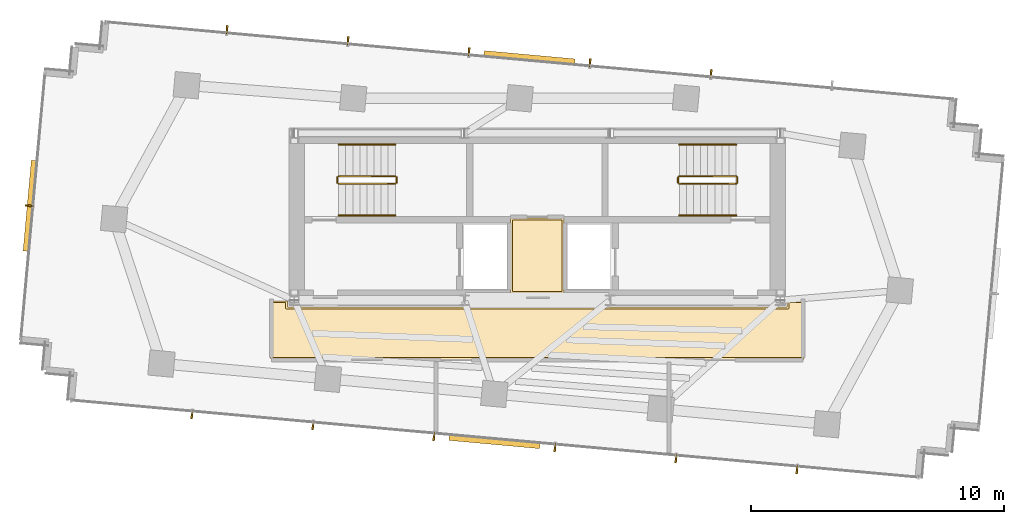
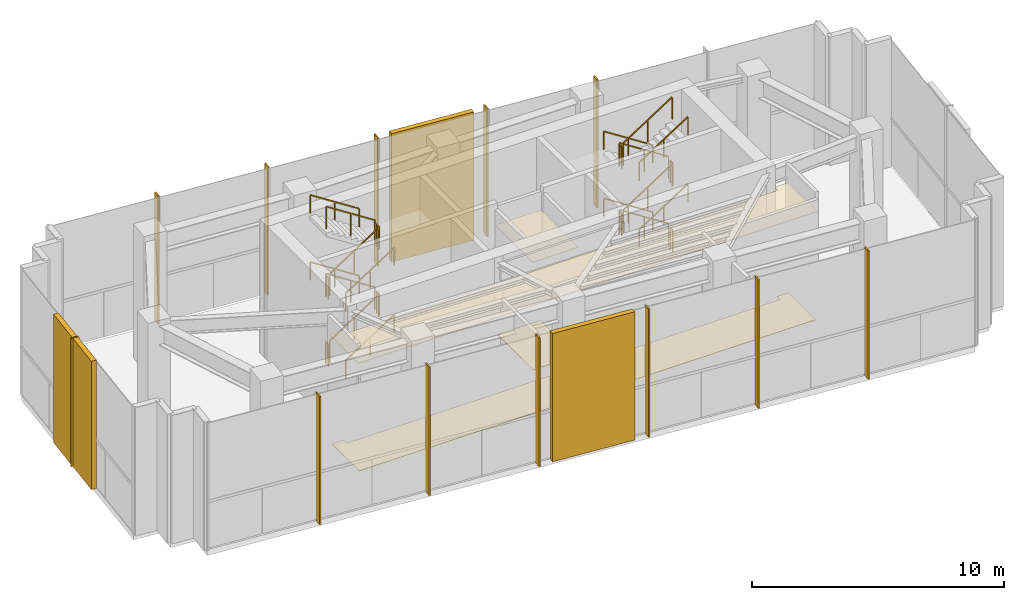
# One storey, part 17 of 18: 24 railings, 15 shading devices, 4 coverings.
"""IFC4 building model written with IfcOpenShell, lengths in metres."""

from ifc_helpers import new_model, si_unit, direction, frame, origin, origin_2d, place, context, subcontext, project, spatial, polyline, rectangle, outline, extrude, source, transform, mapped, material, layer, layer_set, type_object, type_shapes, element, save


model = new_model("IFC4")

# Units and contexts
model_context = context("Model", 3, precision=1e-05, world=origin(), true_north=direction((0.0, 1.0)))
body_context = subcontext(model_context, "Body", "Model", "MODEL_VIEW")
ifc_project = project(units=[si_unit("LENGTHUNIT", "METRE"), si_unit("AREAUNIT", "SQUARE_METRE"), si_unit("VOLUMEUNIT", "CUBIC_METRE"), si_unit("PLANEANGLEUNIT", "RADIAN"), si_unit("MASSUNIT", "GRAM", prefix="KILO")], contexts=[model_context])

# Site, building, storey
site_placement = place(None, origin())
site = spatial("IfcSite", under=ifc_project, at=site_placement, CompositionType="ELEMENT")
building_placement = place(site_placement, origin())
building = spatial("IfcBuilding", under=site, at=building_placement, Name="Astriad Promenade Condominiums", CompositionType="ELEMENT")
storey_placement = place(building_placement, frame((0.0, 0.0, 277.300048828125)))
storey = spatial("IfcBuildingStorey", under=building, at=storey_placement, Name="L78", CompositionType="ELEMENT", Elevation=277.300048828125)

# Coverings
ifc_material_1 = material(Name="Mineral-Fibre Acoustic Ceiling Tile")
ifc_layer_1 = layer(ifc_material_1, 0.02490234375)
ifc_layer_set_1 = layer_set([ifc_layer_1], Name="Mineral-Fibre Acoustic Ceiling Tile")
covering_type_1 = type_object("IfcCoveringType", Name="COV-CEIL-ACOUSTIC-25", PredefinedType="CEILING", material=ifc_layer_set_1)
covering_1_placement = place(storey_placement, frame((0.0, 0.0, 5.27490234375)))
element("IfcCovering", 1, at=covering_1_placement, inside=storey, type_object=covering_type_1, Name="CEIL-L78-CSL", PredefinedType="CEILING", context=body_context, shape_type="SweptSolid", body=[
    extrude(outline(polyline([(34.97998046875, 17.669921875), (34.97705078125, 17.670166015625), (34.97412109375, 17.670654296875), (34.97119140625, 17.67138671875), (34.968505859375, 17.67236328125), (34.9658203125, 17.673583984375), (34.96337890625, 17.675048828125), (34.9609375, 17.6767578125), (34.958740234375, 17.6787109375), (34.956787109375, 17.680908203125), (34.955078125, 17.683349609375), (34.95361328125, 17.685791015625), (34.952392578125, 17.6884765625), (34.951416015625, 17.69140625), (34.95068359375, 17.694091796875), (34.9501953125, 17.697021484375), (34.949951171875, 17.699951171875), (34.949951171875, 20.6201171875), (34.9501953125, 20.622802734375), (34.95068359375, 20.6259765625), (34.951416015625, 20.628662109375), (34.952392578125, 20.631591796875), (34.95361328125, 20.634033203125), (34.955078125, 20.63671875), (34.956787109375, 20.638916015625), (34.958740234375, 20.64111328125), (34.9609375, 20.643310546875), (34.96337890625, 20.64501953125), (34.9658203125, 20.646484375), (34.968505859375, 20.647705078125), (34.97119140625, 20.648681640625), (34.97412109375, 20.6494140625), (34.97705078125, 20.64990234375), (34.97998046875, 20.64990234375), (37.02001953125, 20.64990234375), (37.02294921875, 20.64990234375), (37.02587890625, 20.6494140625), (37.02880859375, 20.648681640625), (37.031494140625, 20.647705078125), (37.0341796875, 20.646484375), (37.03662109375, 20.64501953125), (37.0390625, 20.643310546875), (37.041259765625, 20.64111328125), (37.043212890625, 20.638916015625), (37.044921875, 20.63671875), (37.04638671875, 20.634033203125), (37.047607421875, 20.631591796875), (37.048583984375, 20.628662109375), (37.04931640625, 20.6259765625), (37.0498046875, 20.622802734375), (37.050048828125, 20.6201171875), (37.050048828125, 17.699951171875), (37.0498046875, 17.697021484375), (37.04931640625, 17.694091796875), (37.048583984375, 17.69140625), (37.047607421875, 17.6884765625), (37.04638671875, 17.685791015625), (37.044921875, 17.683349609375), (37.043212890625, 17.680908203125), (37.041259765625, 17.6787109375), (37.0390625, 17.6767578125), (37.03662109375, 17.675048828125), (37.0341796875, 17.673583984375), (37.031494140625, 17.67236328125), (37.02880859375, 17.67138671875), (37.02587890625, 17.670654296875), (37.02294921875, 17.670166015625), (37.02001953125, 17.669921875), (34.97998046875, 17.669921875)])), origin(), (0.0, 0.0, 1.0), 0.025146484375),
])
covering_2_placement = place(storey_placement, frame((0.0, 0.0, 5.27490234375)))
element("IfcCovering", 2, at=covering_2_placement, inside=storey, type_object=covering_type_1, Name="CEIL-L78-COR", PredefinedType="CEILING", context=body_context, shape_type="SweptSolid", body=[
    extrude(outline(polyline([(26.1298828125, 17.1298828125), (45.8701171875, 17.1298828125), (45.8701171875, 17.35009765625), (45.8701171875, 17.352783203125), (45.87060546875, 17.35595703125), (45.871337890625, 17.358642578125), (45.872314453125, 17.361572265625), (45.87353515625, 17.364013671875), (45.875, 17.36669921875), (45.876708984375, 17.368896484375), (45.87890625, 17.37109375), (45.881103515625, 17.373291015625), (45.88330078125, 17.375), (45.885986328125, 17.37646484375), (45.888427734375, 17.377685546875), (45.891357421875, 17.378662109375), (45.89404296875, 17.37939453125), (45.897216796875, 17.3798828125), (45.89990234375, 17.3798828125), (46.5, 17.3798828125), (46.5029296875, 17.3798828125), (46.505859375, 17.37939453125), (46.5087890625, 17.378662109375), (46.511474609375, 17.377685546875), (46.51416015625, 17.37646484375), (46.5166015625, 17.375), (46.51904296875, 17.373291015625), (46.521240234375, 17.37109375), (46.523193359375, 17.368896484375), (46.52490234375, 17.36669921875), (46.526611328125, 17.364013671875), (46.527587890625, 17.361572265625), (46.52880859375, 17.358642578125), (46.529296875, 17.35595703125), (46.52978515625, 17.352783203125), (46.530029296875, 17.35009765625), (46.530029296875, 15.10009765625), (46.52978515625, 15.09716796875), (46.529296875, 15.093994140625), (46.52880859375, 15.09130859375), (46.527587890625, 15.08837890625), (46.526611328125, 15.0859375), (46.52490234375, 15.083251953125), (46.523193359375, 15.0810546875), (46.521240234375, 15.078857421875), (46.51904296875, 15.076904296875), (46.5166015625, 15.0751953125), (46.51416015625, 15.073486328125), (46.511474609375, 15.072265625), (46.5087890625, 15.0712890625), (46.505859375, 15.070556640625), (46.5029296875, 15.070068359375), (46.5, 15.070068359375), (25.5, 15.070068359375), (25.4970703125, 15.070068359375), (25.494140625, 15.070556640625), (25.4912109375, 15.0712890625), (25.488525390625, 15.072265625), (25.48583984375, 15.073486328125), (25.4833984375, 15.0751953125), (25.48095703125, 15.076904296875), (25.478759765625, 15.078857421875), (25.476806640625, 15.0810546875), (25.47509765625, 15.083251953125), (25.473388671875, 15.0859375), (25.472412109375, 15.08837890625), (25.47119140625, 15.09130859375), (25.470703125, 15.093994140625), (25.47021484375, 15.09716796875), (25.469970703125, 15.10009765625), (25.469970703125, 17.35009765625), (25.47021484375, 17.352783203125), (25.470703125, 17.35595703125), (25.47119140625, 17.358642578125), (25.472412109375, 17.361572265625), (25.473388671875, 17.364013671875), (25.47509765625, 17.36669921875), (25.476806640625, 17.368896484375), (25.478759765625, 17.37109375), (25.48095703125, 17.373291015625), (25.4833984375, 17.375), (25.48583984375, 17.37646484375), (25.488525390625, 17.377685546875), (25.4912109375, 17.378662109375), (25.494140625, 17.37939453125), (25.4970703125, 17.3798828125), (25.5, 17.3798828125), (26.10009765625, 17.3798828125), (26.102783203125, 17.3798828125), (26.10595703125, 17.37939453125), (26.108642578125, 17.378662109375), (26.111572265625, 17.377685546875), (26.114013671875, 17.37646484375), (26.11669921875, 17.375), (26.118896484375, 17.373291015625), (26.12109375, 17.37109375), (26.123291015625, 17.368896484375), (26.125, 17.36669921875), (26.12646484375, 17.364013671875), (26.127685546875, 17.361572265625), (26.128662109375, 17.358642578125), (26.12939453125, 17.35595703125), (26.1298828125, 17.352783203125), (26.1298828125, 17.35009765625), (26.1298828125, 17.1298828125)])), origin(), (0.0, 0.0, 1.0), 0.025146484375),
])
ifc_material_2 = material(Name="Polished Lakefront Terrazzo Flooring")
ifc_layer_2 = layer(ifc_material_2, 0.02001953125)
ifc_layer_set_2 = layer_set([ifc_layer_2], Name="Polished Lakefront Terrazzo Flooring")
covering_type_2 = type_object("IfcCoveringType", Name="COV-FLOR-TERRAZZO-20", PredefinedType="FLOORING", material=ifc_layer_set_2)
covering_3_placement = place(storey_placement, origin())
element("IfcCovering", 3, at=covering_3_placement, inside=storey, type_object=covering_type_2, Name="FLR-L78-CSL", PredefinedType="FLOORING", context=body_context, shape_type="SweptSolid", body=[
    extrude(outline(polyline([(36.97998046875, 17.739990234375), (35.02001953125, 17.739990234375), (35.02001953125, 20.580078125), (36.97998046875, 20.580078125), (36.97998046875, 17.739990234375)])), origin(), (0.0, 0.0, 1.0), 0.02001953125),
])
covering_4_placement = place(storey_placement, origin())
element("IfcCovering", 4, at=covering_4_placement, inside=storey, type_object=covering_type_2, Name="FLR-L78-COR", PredefinedType="FLOORING", context=body_context, shape_type="SweptSolid", body=[
    extrude(outline(polyline([(26.06005859375, 17.31005859375), (26.06005859375, 17.10009765625), (26.060302734375, 17.09619140625), (26.060791015625, 17.09228515625), (26.061767578125, 17.08837890625), (26.06298828125, 17.084716796875), (26.064697265625, 17.0810546875), (26.066650390625, 17.077880859375), (26.069091796875, 17.07470703125), (26.07177734375, 17.07177734375), (26.07470703125, 17.069091796875), (26.077880859375, 17.066650390625), (26.0810546875, 17.064697265625), (26.084716796875, 17.06298828125), (26.08837890625, 17.061767578125), (26.09228515625, 17.060791015625), (26.09619140625, 17.060302734375), (26.10009765625, 17.06005859375), (45.89990234375, 17.06005859375), (45.90380859375, 17.060302734375), (45.90771484375, 17.060791015625), (45.91162109375, 17.061767578125), (45.915283203125, 17.06298828125), (45.9189453125, 17.064697265625), (45.922119140625, 17.066650390625), (45.92529296875, 17.069091796875), (45.92822265625, 17.07177734375), (45.930908203125, 17.07470703125), (45.933349609375, 17.077880859375), (45.935302734375, 17.0810546875), (45.93701171875, 17.084716796875), (45.938232421875, 17.08837890625), (45.939208984375, 17.09228515625), (45.939697265625, 17.09619140625), (45.93994140625, 17.10009765625), (45.93994140625, 17.31005859375), (46.4599609375, 17.31005859375), (46.4599609375, 15.139892578125), (25.5400390625, 15.139892578125), (25.5400390625, 17.31005859375), (26.06005859375, 17.31005859375)])), origin(), (0.0, 0.0, 1.0), 0.02001953125),
])

# Shading devices
ifc_material_3 = material(Name="Anodised aluminium 6063-T6 Black Fin", Category="aluminium")
shading_device_type_1 = type_object("IfcShadingDeviceType", Name="FIN-BLACK-260", PredefinedType="USERDEFINED", material=ifc_material_3)
shared_shape_1 = source(origin(), body_context, "Body", "SweptSolid", [
    extrude(rectangle(XDim=0.06494140625, YDim=0.320068359375, at=origin_2d()), origin(), (0.0, 0.0, 1.0), 6.219970703125),
])
type_shapes(shading_device_type_1, [shared_shape_1])
for number, where, z_axis, x_axis, name in (
    (5, (15.938720703125, 21.134765625, 0.0), (0.0, 0.0, 1.0), (0.090632580198, 0.995884398616, 0.0), "CW-CRN-L78-03-FIN-01"),
    (6, (23.74169921875, 28.09619140625, 0.0), (0.0, 0.0, 1.0), (0.995884398616, -0.090632580198, 0.0), "CW-CRN-L78-08-FIN-01"),
    (7, (28.522216796875, 27.6611328125, 0.0), (0.0, 0.0, 1.0), (0.995884398616, -0.090632580198, 0.0), "CW-CRN-L78-08-FIN-02"),
    (8, (33.30224609375, 27.22607421875, 0.0), (0.0, 0.0, 1.0), (0.995884398616, -0.090632580198, 0.0), "CW-CRN-L78-08-FIN-03"),
    (9, (38.08251953125, 26.791015625, 0.0), (0.0, 0.0, 1.0), (0.995884398616, -0.090632580198, 0.0), "CW-CRN-L78-08-FIN-04"),
    (10, (42.86279296875, 26.35595703125, 0.0), (0.0, 0.0, 1.0), (0.995884398616, -0.090632580198, 0.0), "CW-CRN-L78-08-FIN-05"),
    (11, (46.25830078125, 10.703857421875, 0.0), (0.0, 0.0, 1.0), (-0.995884398616, 0.090632580198, 0.0), "CW-CRN-L78-18-FIN-01"),
    (12, (41.477783203125, 11.138916015625, 0.0), (0.0, 0.0, 1.0), (-0.995884398616, 0.090632580198, 0.0), "CW-CRN-L78-18-FIN-02"),
    (13, (36.69775390625, 11.573974609375, 0.0), (0.0, 0.0, 1.0), (-0.995884398616, 0.090632580198, 0.0), "CW-CRN-L78-18-FIN-03"),
    (14, (31.91748046875, 12.009033203125, 0.0), (0.0, 0.0, 1.0), (-0.995884398616, 0.090632580198, 0.0), "CW-CRN-L78-18-FIN-04"),
    (15, (27.13720703125, 12.444091796875, 0.0), (0.0, 0.0, 1.0), (-0.995884398616, 0.090632580198, 0.0), "CW-CRN-L78-18-FIN-05"),
    (16, (22.35693359375, 12.879150390625, 0.0), (0.0, 0.0, 1.0), (-0.995884398616, 0.090632580198, 0.0), "CW-CRN-L78-18-FIN-06"),
):
    element("IfcShadingDevice", number, at=place(storey_placement, frame(where, z_axis=z_axis, x_axis=x_axis)), inside=storey, type_object=shading_device_type_1, Name=name, ObjectType="FIN", PredefinedType="USERDEFINED", context=body_context, shape_type="MappedRepresentation", body=[
        mapped(shared_shape_1, transform((0.0, 0.0, 0.0), scale=1.0)),
    ])
ifc_material_4 = material(Name="Anodised aluminium 6063-T6 Black Louvre", Category="aluminium")
shading_device_type_2 = type_object("IfcShadingDeviceType", Name="LOUVRE-ACOUSTIC-220", PredefinedType="JALOUSIE", material=ifc_material_4)
shared_shape_2 = source(origin(), body_context, "Body", "SweptSolid", [
    extrude(rectangle(XDim=3.60009765625, YDim=0.219970703125, at=origin_2d()), origin(), (0.0, 0.0, 1.0), 6.219970703125),
])
type_shapes(shading_device_type_2, [shared_shape_2])
for number, where, z_axis, x_axis, name in (
    (17, (15.958740234375, 21.1328125, 0.0), (0.0, 0.0, 1.0), (0.090632580198, 0.995884398616, 0.0), "LVR-CRN-L78-03"),
    (18, (35.690673828125, 26.988525390625, 0.0), (0.0, 0.0, 1.0), (0.995884398616, -0.090632580198, 0.0), "LVR-CRN-L78-08"),
    (19, (34.309326171875, 11.811279296875, 0.0), (0.0, 0.0, 1.0), (-0.995884398616, 0.090632580198, 0.0), "LVR-CRN-L78-18"),
):
    element("IfcShadingDevice", number, at=place(storey_placement, frame(where, z_axis=z_axis, x_axis=x_axis)), inside=storey, type_object=shading_device_type_2, Name=name, PredefinedType="JALOUSIE", context=body_context, shape_type="MappedRepresentation", body=[
        mapped(shared_shape_2, transform((0.0, 0.0, 0.0), scale=1.0)),
    ])

# Railings
ifc_material_5 = material(Name="Painted Galvanised Steel Guardrail", Category="steel")
railing_type_1 = type_object("IfcRailingType", Name="GRD-STAIR-1100", PredefinedType="GUARDRAIL", material=ifc_material_5)
shared_shape_3 = source(origin(), body_context, "Body", "SweptSolid", [
    extrude(rectangle(XDim=0.048095703125, YDim=0.048095703125, at=origin_2d()), frame((0.0, 0.0, 1.076171875), z_axis=(0.0, 1.0, 0.0), x_axis=(-1.0, 0.0, 0.0)), (0.0, 0.0, 1.0), 0.199951171875),
    extrude(rectangle(XDim=0.0419921875, YDim=0.0419921875, at=origin_2d()), origin(), (0.0, 0.0, 1.0), 1.052001953125),
    extrude(rectangle(XDim=0.0419921875, YDim=0.0419921875, at=origin_2d()), frame((0.0, 0.199951171875, 0.0)), (0.0, 0.0, 1.0), 1.052001953125),
])
for number, where, name in (
    (20, (30.43994140625, 22.050048828125, 1.625), "L78 ST-1 stair guard 2"),
    (21, (28.10009765625, 22.050048828125, 3.25), "L78 ST-1 stair guard 4"),
    (22, (30.43994140625, 22.050048828125, 4.875), "L78 ST-1 stair guard 6"),
    (23, (28.10009765625, 22.050048828125, 0.0), "L78 ST-1 stair guard 8"),
):
    element("IfcRailing", number, at=place(storey_placement, frame(where)), inside=storey, type_object=railing_type_1, Name=name, PredefinedType="GUARDRAIL", context=body_context, shape_type="MappedRepresentation", body=[
        mapped(shared_shape_3, transform((0.0, 0.0, 0.0), scale=1.0)),
    ])
shared_shape_4 = source(origin(), body_context, "Body", "SweptSolid", [
    extrude(rectangle(XDim=0.048095703125, YDim=0.048095703125, at=origin_2d()), frame((0.0, 0.0, 1.076171875), z_axis=(0.840394893359, 0.0, 0.541974559565), x_axis=(0.0, 1.0, 0.0)), (0.0, 0.0, 1.0), 2.665283203125),
    extrude(rectangle(XDim=0.0419921875, YDim=0.0419921875, at=origin_2d()), origin(), (0.0, 0.0, 1.0), 1.052001953125),
    extrude(rectangle(XDim=0.0419921875, YDim=0.0419921875, at=origin_2d()), frame((1.1201171875, 0.0, 0.72216796875)), (0.0, 0.0, 1.0), 1.052001953125),
    extrude(rectangle(XDim=0.0419921875, YDim=0.0419921875, at=origin_2d()), frame((2.239990234375, 0.0, 1.444580078125)), (0.0, 0.0, 1.0), 1.052001953125),
])
for number, where, name in (
    (24, (28.14990234375, 22.0, 0.180419921875), "L78 ST-1 stair guard 1"),
    (25, (28.14990234375, 22.0, 3.430419921875), "L78 ST-1 stair guard 5"),
    (26, (41.610107421875, 22.0, 1.805419921875), "L78 ST-2 stair guard 3"),
    (27, (41.610107421875, 22.0, 5.055419921875), "L78 ST-2 stair guard 7"),
):
    element("IfcRailing", number, at=place(storey_placement, frame(where)), inside=storey, type_object=railing_type_1, Name=name, PredefinedType="GUARDRAIL", context=body_context, shape_type="MappedRepresentation", body=[
        mapped(shared_shape_4, transform((0.0, 0.0, 0.0), scale=1.0)),
    ])
shared_shape_5 = source(origin(), body_context, "Body", "SweptSolid", [
    extrude(rectangle(XDim=0.048095703125, YDim=0.048095703125, at=origin_2d()), frame((0.0, 0.0, 1.076171875), z_axis=(-0.840394893359, 0.0, 0.541974559565), x_axis=(0.0, -1.0, 0.0)), (0.0, 0.0, 1.0), 2.665283203125),
    extrude(rectangle(XDim=0.0419921875, YDim=0.0419921875, at=origin_2d()), origin(), (0.0, 0.0, 1.0), 1.052001953125),
    extrude(rectangle(XDim=0.0419921875, YDim=0.0419921875, at=origin_2d()), frame((-1.1201171875, 0.0, 0.72216796875)), (0.0, 0.0, 1.0), 1.052001953125),
    extrude(rectangle(XDim=0.0419921875, YDim=0.0419921875, at=origin_2d()), frame((-2.239990234375, 0.0, 1.444580078125)), (0.0, 0.0, 1.0), 1.052001953125),
])
for number, where, name in (
    (28, (30.389892578125, 22.300048828125, 1.805419921875), "L78 ST-1 stair guard 3"),
    (29, (30.389892578125, 22.300048828125, 5.055419921875), "L78 ST-1 stair guard 7"),
    (30, (43.85009765625, 22.300048828125, 0.180419921875), "L78 ST-2 stair guard 1"),
    (31, (43.85009765625, 22.300048828125, 3.430419921875), "L78 ST-2 stair guard 5"),
):
    element("IfcRailing", number, at=place(storey_placement, frame(where)), inside=storey, type_object=railing_type_1, Name=name, PredefinedType="GUARDRAIL", context=body_context, shape_type="MappedRepresentation", body=[
        mapped(shared_shape_5, transform((0.0, 0.0, 0.0), scale=1.0)),
    ])
ifc_material_6 = material(Name="Brushed Stainless Steel Handrail", Category="steel")
railing_type_2 = type_object("IfcRailingType", Name="HRL-STAIR-920", PredefinedType="HANDRAIL", material=ifc_material_6)
shared_shape_6 = source(origin(), body_context, "Body", "SweptSolid", [
    extrude(rectangle(XDim=0.048095703125, YDim=0.048095703125, at=origin_2d()), frame((0.0, 0.0, 0.8759765625), z_axis=(0.840394893359, 0.0, 0.541974559565), x_axis=(0.0, 1.0, 0.0)), (0.0, 0.0, 1.0), 2.665283203125),
    extrude(rectangle(XDim=0.0419921875, YDim=0.0419921875, at=origin_2d()), origin(), (0.0, 0.0, 1.0), 0.851806640625),
    extrude(rectangle(XDim=0.0419921875, YDim=0.0419921875, at=origin_2d()), frame((1.1201171875, 0.0, 0.72216796875)), (0.0, 0.0, 1.0), 0.851806640625),
    extrude(rectangle(XDim=0.0419921875, YDim=0.0419921875, at=origin_2d()), frame((2.239990234375, 0.0, 1.444580078125)), (0.0, 0.0, 1.0), 0.851806640625),
])
for number, where, name in (
    (32, (28.14990234375, 20.75, 0.180419921875), "L78 ST-1 stair handrail 1"),
    (33, (28.14990234375, 20.75, 3.430419921875), "L78 ST-1 stair handrail 3"),
    (34, (41.610107421875, 20.75, 1.805419921875), "L78 ST-2 stair handrail 2"),
    (35, (41.610107421875, 20.75, 5.055419921875), "L78 ST-2 stair handrail 4"),
):
    element("IfcRailing", number, at=place(storey_placement, frame(where)), inside=storey, type_object=railing_type_2, Name=name, PredefinedType="HANDRAIL", context=body_context, shape_type="MappedRepresentation", body=[
        mapped(shared_shape_6, transform((0.0, 0.0, 0.0), scale=1.0)),
    ])
shared_shape_7 = source(origin(), body_context, "Body", "SweptSolid", [
    extrude(rectangle(XDim=0.048095703125, YDim=0.048095703125, at=origin_2d()), frame((0.0, 0.0, 0.8759765625), z_axis=(-0.840394893359, 0.0, 0.541974559565), x_axis=(0.0, -1.0, 0.0)), (0.0, 0.0, 1.0), 2.665283203125),
    extrude(rectangle(XDim=0.0419921875, YDim=0.0419921875, at=origin_2d()), origin(), (0.0, 0.0, 1.0), 0.851806640625),
    extrude(rectangle(XDim=0.0419921875, YDim=0.0419921875, at=origin_2d()), frame((-1.1201171875, 0.0, 0.72216796875)), (0.0, 0.0, 1.0), 0.851806640625),
    extrude(rectangle(XDim=0.0419921875, YDim=0.0419921875, at=origin_2d()), frame((-2.239990234375, 0.0, 1.444580078125)), (0.0, 0.0, 1.0), 0.851806640625),
])
type_shapes(railing_type_2, [shared_shape_6, shared_shape_7])
for number, where, name in (
    (36, (30.389892578125, 23.550048828125, 1.805419921875), "L78 ST-1 stair handrail 2"),
    (37, (30.389892578125, 23.550048828125, 5.055419921875), "L78 ST-1 stair handrail 4"),
    (38, (43.85009765625, 23.550048828125, 0.180419921875), "L78 ST-2 stair handrail 1"),
    (39, (43.85009765625, 23.550048828125, 3.430419921875), "L78 ST-2 stair handrail 3"),
):
    element("IfcRailing", number, at=place(storey_placement, frame(where)), inside=storey, type_object=railing_type_2, Name=name, PredefinedType="HANDRAIL", context=body_context, shape_type="MappedRepresentation", body=[
        mapped(shared_shape_7, transform((0.0, 0.0, 0.0), scale=1.0)),
    ])
shared_shape_8 = source(origin(), body_context, "Body", "SweptSolid", [
    extrude(rectangle(XDim=0.048095703125, YDim=0.048095703125, at=origin_2d()), frame((0.0, 0.0, 1.076171875), z_axis=(0.0, -1.0, 0.0), x_axis=(1.0, 0.0, 0.0)), (0.0, 0.0, 1.0), 0.199951171875),
    extrude(rectangle(XDim=0.0419921875, YDim=0.0419921875, at=origin_2d()), origin(), (0.0, 0.0, 1.0), 1.052001953125),
    extrude(rectangle(XDim=0.0419921875, YDim=0.0419921875, at=origin_2d()), frame((0.0, -0.199951171875, 0.0)), (0.0, 0.0, 1.0), 1.052001953125),
])
type_shapes(railing_type_1, [shared_shape_3, shared_shape_4, shared_shape_5, shared_shape_8])
for number, where, name in (
    (40, (41.56005859375, 22.25, 1.625), "L78 ST-2 stair guard 2"),
    (41, (43.89990234375, 22.25, 3.25), "L78 ST-2 stair guard 4"),
    (42, (41.56005859375, 22.25, 4.875), "L78 ST-2 stair guard 6"),
    (43, (43.89990234375, 22.25, 0.0), "L78 ST-2 stair guard 8"),
):
    element("IfcRailing", number, at=place(storey_placement, frame(where)), inside=storey, type_object=railing_type_1, Name=name, PredefinedType="GUARDRAIL", context=body_context, shape_type="MappedRepresentation", body=[
        mapped(shared_shape_8, transform((0.0, 0.0, 0.0), scale=1.0)),
    ])

save(model, "model.ifc")
